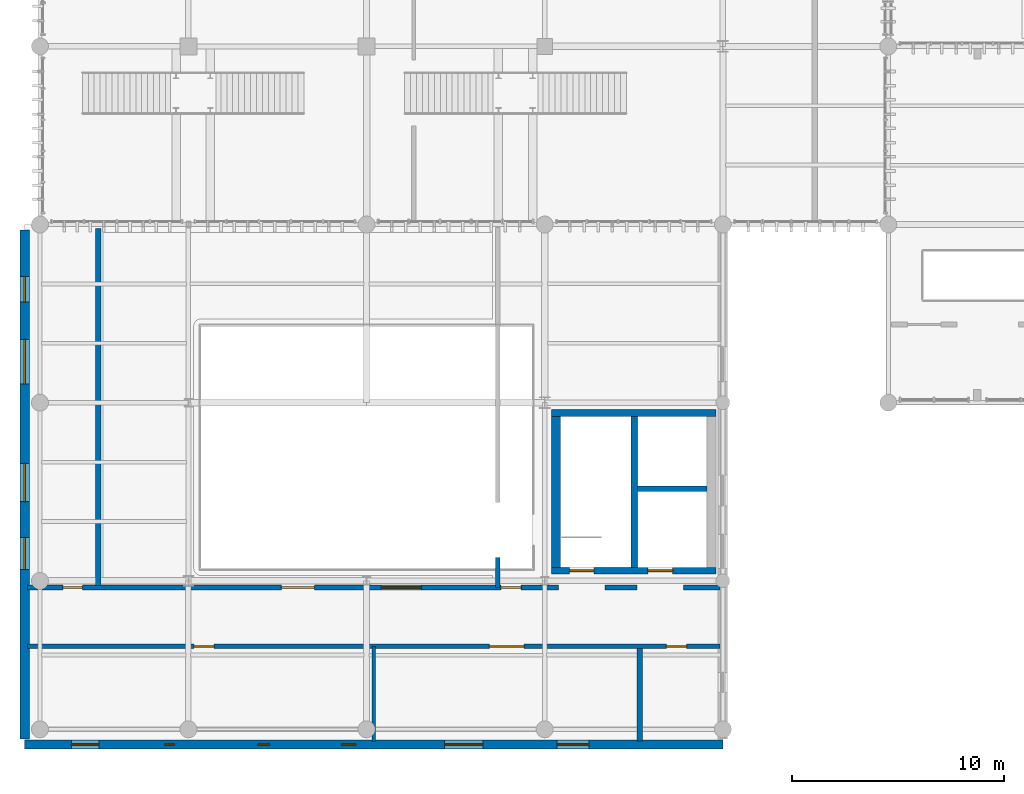
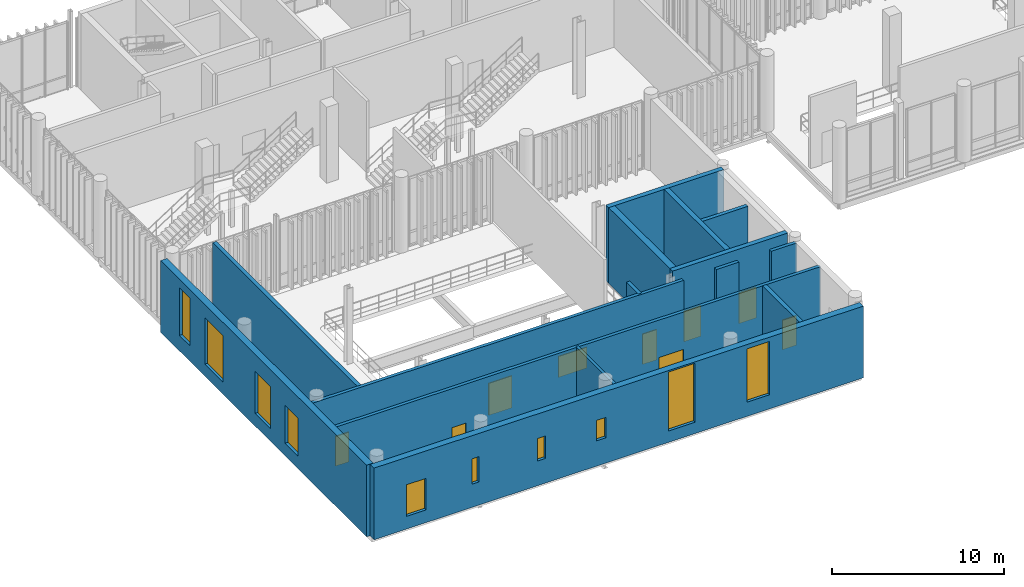
# One storey, part 104 of 128: 15 walls, 11 windows, 8 doors, 19 openings.
"""IFC4 building model written with IfcOpenShell, lengths in metres."""

from ifc_helpers import new_model, si_unit, direction, frame, frame_2d, origin_with_axes, place, context, subcontext, project, spatial, rectangle, extrude, material, layer, layer_set, type_object, element, fill, save


model = new_model("IFC4")

# Units and contexts
model_context = context("Model", 3, precision=1e-05, world=origin_with_axes(), true_north=direction((0.0, 1.0)))
body_context = subcontext(model_context, "Body", "Model", "MODEL_VIEW")
ifc_project = project(units=[si_unit("LENGTHUNIT", "METRE"), si_unit("AREAUNIT", "SQUARE_METRE"), si_unit("VOLUMEUNIT", "CUBIC_METRE"), si_unit("PLANEANGLEUNIT", "RADIAN"), si_unit("MASSUNIT", "GRAM", prefix="KILO"), si_unit("THERMODYNAMICTEMPERATUREUNIT", "KELVIN")], contexts=[model_context])

# Site, building, storey
site_placement = place(None, origin_with_axes())
site = spatial("IfcSite", under=ifc_project, at=site_placement, CompositionType="ELEMENT")
building_placement = place(site_placement, origin_with_axes())
building = spatial("IfcBuilding", under=site, at=building_placement, Name="Montbau Bow Law Courts", CompositionType="ELEMENT")
storey_placement = place(building_placement, frame((0.0, 0.0, 5.4), z_axis=(0.0, 0.0, 1.0), x_axis=(1.0, 0.0, 0.0)))
storey = spatial("IfcBuildingStorey", under=building, at=storey_placement, Name="L01", CompositionType="ELEMENT", Elevation=5.4)

# Wall
ifc_material_1 = material(Name="Concrete CSA A23.1 f'c 45 MPa", Category="concrete")
ifc_layer_1 = layer(ifc_material_1, 0.42, Name="Shear Wall", Category="concrete")
ifc_layer_set_1 = layer_set([ifc_layer_1], Name="Concrete CSA A23.1 f'c 45 MPa")
wall_type_1 = type_object("IfcWallType", Name="W-COR-03", PredefinedType="SHEAR", material=ifc_layer_set_1)
wall_1_placement = place(None, frame((31.14, 21.56, 5.4), z_axis=(0.0, 0.0, 1.0), x_axis=(0.0, -1.0, 0.0)))
element("IfcWall", 1, at=wall_1_placement, inside=storey, type_object=wall_type_1, Name="WC-L01-0540:wal_0607", PredefinedType="SHEAR", context=body_context, shape_type="SweptSolid", body=[
    extrude(rectangle(XDim=7.119999999999999, YDim=0.42, at=frame_2d((3.56, 0.0), x_axis=(1.0, 0.0))), origin_with_axes(), (0.0, 0.0, 1.0), 5.4),
])

# Wall, openings, doors
ifc_layer_2 = layer(ifc_material_1, 0.32, Name="Shear Wall", Category="concrete")
ifc_layer_set_2 = layer_set([ifc_layer_2], Name="Concrete CSA A23.1 f'c 45 MPa")
wall_type_2 = type_object("IfcWallType", Name="W-COR-05", PredefinedType="SHEAR", material=ifc_layer_set_2)
wall_2_placement = place(None, frame((30.93, 14.28, 5.4), z_axis=(0.0, 0.0, 1.0), x_axis=(1.0, 0.0, 0.0)))
wall_2 = element("IfcWall", 2, at=wall_2_placement, inside=storey, type_object=wall_type_2, Name="WC-L01-0537:wal_0604", PredefinedType="SHEAR", context=body_context, shape_type="SweptSolid", body=[
    extrude(rectangle(XDim=7.740000000000002, YDim=0.32, at=frame_2d((3.87, 0.0), x_axis=(1.0, 0.0))), origin_with_axes(), (0.0, 0.0, 1.0), 5.4),
])
opening_1_placement = place(None, frame((32.35, 14.28, 5.4), z_axis=(0.0, 0.0, 1.0), x_axis=(1.0, 0.0, 0.0)))
opening_1 = element("IfcOpeningElement", 3, at=opening_1_placement, cuts=wall_2, Name="OP-D-L01-ST-CER1", PredefinedType="OPENING", context=body_context, shape_type="SweptSolid", body=[
    extrude(rectangle(XDim=1.14, YDim=2.18, at=frame_2d((0.0, 1.09), x_axis=(1.0, 0.0))), frame((0.0, 0.17, 0.0), z_axis=(0.0, -1.0, 0.0), x_axis=(1.0, 0.0, 0.0)), (0.0, 0.0, 1.0), 0.34),
])
opening_2_placement = place(None, frame((36.05, 14.28, 5.4), z_axis=(0.0, 0.0, 1.0), x_axis=(1.0, 0.0, 0.0)))
opening_2 = element("IfcOpeningElement", 4, at=opening_2_placement, cuts=wall_2, Name="OP-LD-L01-EL-CER1", PredefinedType="OPENING", context=body_context, shape_type="SweptSolid", body=[
    extrude(rectangle(XDim=1.16, YDim=2.2, at=frame_2d((0.0, 1.1), x_axis=(1.0, 0.0))), frame((0.0, 0.17, 0.0), z_axis=(0.0, -1.0, 0.0), x_axis=(1.0, 0.0, 0.0)), (0.0, 0.0, 1.0), 0.34),
])
ifc_material_2 = material(Name="1.5 h Fire-Rated Hollow-Metal Exit Stair Door", Category="steel")
door_type_1 = type_object("IfcDoorType", Name="D-ST-01", OperationType="NOTDEFINED", ParameterTakesPrecedence=False, PredefinedType="DOOR", material=ifc_material_2)
door_1_placement = place(None, frame((32.35, 14.28, 5.4), z_axis=(0.0, 0.0, 1.0), x_axis=(-1.0, 0.0, 0.0)))
door_1 = element("IfcDoor", 5, at=door_1_placement, inside=storey, type_object=door_type_1, Name="D-L01-ST-CER1:dor_0238", OperationType="SINGLE_SWING_RIGHT", OverallHeight=2.18, OverallWidth=1.14, PredefinedType="DOOR", context=body_context, shape_type="SweptSolid", body=[
    extrude(rectangle(XDim=1.14, YDim=2.18, at=frame_2d((0.0, 1.09), x_axis=(1.0, 0.0))), frame((0.0, 0.04, 0.0), z_axis=(0.0, -1.0, 0.0), x_axis=(1.0, 0.0, 0.0)), (0.0, 0.0, 1.0), 0.08),
])
fill(opening_1, door_1)
ifc_material_3 = material(Name="Brushed Stainless Steel Elevator Landing Door", Category="steel")
door_type_2 = type_object("IfcDoorType", Name="LD-PUB-01", OperationType="NOTDEFINED", ParameterTakesPrecedence=False, PredefinedType="DOOR", material=ifc_material_3)
door_2_placement = place(None, frame((36.05, 14.28, 5.4), z_axis=(0.0, 0.0, 1.0), x_axis=(-1.0, 0.0, 0.0)))
door_2 = element("IfcDoor", 6, at=door_2_placement, inside=storey, type_object=door_type_2, Name="LD-L01-EL-CER1:dor_0239", OperationType="SLIDING_TO_LEFT", OverallHeight=2.2, OverallWidth=1.16, PredefinedType="DOOR", context=body_context, shape_type="SweptSolid", body=[
    extrude(rectangle(XDim=1.16, YDim=2.2, at=frame_2d((0.0, 1.1), x_axis=(1.0, 0.0))), frame((0.0, 0.04, 0.0), z_axis=(0.0, -1.0, 0.0), x_axis=(1.0, 0.0, 0.0)), (0.0, 0.0, 1.0), 0.08),
])
fill(opening_2, door_2)

# Walls
wall_3_placement = place(None, frame((38.67, 21.72, 5.4), z_axis=(0.0, 0.0, 1.0), x_axis=(-1.0, 0.0, 0.0)))
element("IfcWall", 7, at=wall_3_placement, inside=storey, type_object=wall_type_2, Name="WC-L01-0538:wal_0605", PredefinedType="SHEAR", context=body_context, shape_type="SweptSolid", body=[
    extrude(rectangle(XDim=7.740000000000002, YDim=0.32, at=frame_2d((3.87, 0.0), x_axis=(1.0, 0.0))), origin_with_axes(), (0.0, 0.0, 1.0), 5.4),
])
wall_4_placement = place(None, frame((34.82, 14.44, 5.4), z_axis=(0.0, 0.0, 1.0), x_axis=(0.0, 1.0, 0.0)))
element("IfcWall", 8, at=wall_4_placement, inside=storey, type_object=wall_type_2, Name="WS-L01-0541:wal_0608", PredefinedType="SHEAR", context=body_context, shape_type="SweptSolid", body=[
    extrude(rectangle(XDim=7.119999999999999, YDim=0.32, at=frame_2d((3.56, 0.0), x_axis=(1.0, 0.0))), origin_with_axes(), (0.0, 0.0, 1.0), 5.4),
])

# Wall, openings, windows
ifc_material_4 = material(Name="Tyndall Limestone Ashlar Spandrel Assembly", Category="masonry")
ifc_layer_3 = layer(ifc_material_4, 0.44, Name="Solid Wall", Category="masonry")
ifc_layer_set_3 = layer_set([ifc_layer_3], Name="Tyndall Limestone Ashlar Spandrel Assembly")
wall_type_3 = type_object("IfcWallType", Name="W-EXT-03", PredefinedType="SOLIDWALL", material=ifc_layer_set_3)
wall_5_placement = place(None, frame((6.08, 6.08, 5.4), z_axis=(0.0, 0.0, 1.0), x_axis=(1.0, 0.0, 0.0)))
wall_5 = element("IfcWall", 9, at=wall_5_placement, inside=storey, type_object=wall_type_3, Name="WE-L01-004:wal_0021", PredefinedType="SOLIDWALL", context=body_context, shape_type="SweptSolid", body=[
    extrude(rectangle(XDim=32.92, YDim=0.44, at=frame_2d((16.46, 0.0), x_axis=(1.0, 0.0))), origin_with_axes(), (0.0, 0.0, 1.0), 5.1),
])
opening_3_placement = place(None, frame((8.93, 6.08, 6.3), z_axis=(0.0, 0.0, 1.0), x_axis=(1.0, 0.0, 0.0)))
opening_3 = element("IfcOpeningElement", 10, at=opening_3_placement, cuts=wall_5, Name="OP-WN-L01-018", PredefinedType="OPENING", context=body_context, shape_type="SweptSolid", body=[
    extrude(rectangle(XDim=1.3, YDim=2.25, at=frame_2d((0.0, 1.125), x_axis=(1.0, 0.0))), frame((0.0, 0.23, 0.0), z_axis=(0.0, -1.0, 0.0), x_axis=(1.0, 0.0, 0.0)), (0.0, 0.0, 1.0), 0.46),
])
opening_4_placement = place(None, frame((12.905, 6.08, 7.05), z_axis=(0.0, 0.0, 1.0), x_axis=(1.0, 0.0, 0.0)))
opening_4 = element("IfcOpeningElement", 11, at=opening_4_placement, cuts=wall_5, Name="OP-WN-L01-019", PredefinedType="OPENING", context=body_context, shape_type="SweptSolid", body=[
    extrude(rectangle(XDim=0.45, YDim=1.8, at=frame_2d((0.0, 0.9), x_axis=(1.0, 0.0))), frame((0.0, 0.23, 0.0), z_axis=(0.0, -1.0, 0.0), x_axis=(1.0, 0.0, 0.0)), (0.0, 0.0, 1.0), 0.46),
])
opening_5_placement = place(None, frame((17.355, 6.08, 7.15), z_axis=(0.0, 0.0, 1.0), x_axis=(1.0, 0.0, 0.0)))
opening_5 = element("IfcOpeningElement", 12, at=opening_5_placement, cuts=wall_5, Name="OP-WN-L01-020", PredefinedType="OPENING", context=body_context, shape_type="SweptSolid", body=[
    extrude(rectangle(XDim=0.55, YDim=1.6, at=frame_2d((0.0, 0.8), x_axis=(1.0, 0.0))), frame((0.0, 0.23, 0.0), z_axis=(0.0, -1.0, 0.0), x_axis=(1.0, 0.0, 0.0)), (0.0, 0.0, 1.0), 0.46),
])
opening_6_placement = place(None, frame((21.355, 6.08, 7.2), z_axis=(0.0, 0.0, 1.0), x_axis=(1.0, 0.0, 0.0)))
opening_6 = element("IfcOpeningElement", 13, at=opening_6_placement, cuts=wall_5, Name="OP-WN-L01-021", PredefinedType="OPENING", context=body_context, shape_type="SweptSolid", body=[
    extrude(rectangle(XDim=0.65, YDim=1.45, at=frame_2d((0.0, 0.725), x_axis=(1.0, 0.0))), frame((0.0, 0.23, 0.0), z_axis=(0.0, -1.0, 0.0), x_axis=(1.0, 0.0, 0.0)), (0.0, 0.0, 1.0), 0.46),
])
opening_7_placement = place(None, frame((26.78, 6.08, 6.2), z_axis=(0.0, 0.0, 1.0), x_axis=(1.0, 0.0, 0.0)))
opening_7 = element("IfcOpeningElement", 14, at=opening_7_placement, cuts=wall_5, Name="OP-WN-L01-022", PredefinedType="OPENING", context=body_context, shape_type="SweptSolid", body=[
    extrude(rectangle(XDim=1.8, YDim=4.2, at=frame_2d((0.0, 2.1), x_axis=(1.0, 0.0))), frame((0.0, 0.23, 0.0), z_axis=(0.0, -1.0, 0.0), x_axis=(1.0, 0.0, 0.0)), (0.0, 0.0, 1.0), 0.46),
])
opening_8_placement = place(None, frame((31.93, 6.08, 6.4), z_axis=(0.0, 0.0, 1.0), x_axis=(1.0, 0.0, 0.0)))
opening_8 = element("IfcOpeningElement", 15, at=opening_8_placement, cuts=wall_5, Name="OP-WN-L01-023", PredefinedType="OPENING", context=body_context, shape_type="SweptSolid", body=[
    extrude(rectangle(XDim=1.5, YDim=3.8, at=frame_2d((0.0, 1.9), x_axis=(1.0, 0.0))), frame((0.0, 0.23, 0.0), z_axis=(0.0, -1.0, 0.0), x_axis=(1.0, 0.0, 0.0)), (0.0, 0.0, 1.0), 0.46),
])
ifc_material_5 = material(Name="Triple-Glazed Low-E Argon Insulating Glass Unit", Category="glass")
window_type_1 = type_object("IfcWindowType", Name="WN-APP-02", ParameterTakesPrecedence=False, PartitioningType="SINGLE_PANEL", PredefinedType="WINDOW", material=ifc_material_5)
window_1_placement = place(None, frame((8.93, 6.08, 6.3), z_axis=(0.0, 0.0, 1.0), x_axis=(1.0, 0.0, 0.0)))
window_1 = element("IfcWindow", 16, at=window_1_placement, inside=storey, type_object=window_type_1, Name="WN-L01-018:win_0018", OverallHeight=2.25, OverallWidth=1.3, PartitioningType="SINGLE_PANEL", PredefinedType="WINDOW", context=body_context, shape_type="SweptSolid", body=[
    extrude(rectangle(XDim=1.3, YDim=2.25, at=frame_2d((0.0, 1.125), x_axis=(1.0, 0.0))), frame((0.0, 0.03, 0.0), z_axis=(0.0, -1.0, 0.0), x_axis=(1.0, 0.0, 0.0)), (0.0, 0.0, 1.0), 0.06),
])
fill(opening_3, window_1)
window_type_2 = type_object("IfcWindowType", Name="WN-CER-01", ParameterTakesPrecedence=False, PartitioningType="SINGLE_PANEL", PredefinedType="WINDOW", material=ifc_material_5)
window_2_placement = place(None, frame((26.78, 6.08, 6.2), z_axis=(0.0, 0.0, 1.0), x_axis=(1.0, 0.0, 0.0)))
window_2 = element("IfcWindow", 17, at=window_2_placement, inside=storey, type_object=window_type_2, Name="WN-L01-022:win_0022", OverallHeight=4.2, OverallWidth=1.8, PartitioningType="SINGLE_PANEL", PredefinedType="WINDOW", context=body_context, shape_type="SweptSolid", body=[
    extrude(rectangle(XDim=1.8, YDim=4.2, at=frame_2d((0.0, 2.1), x_axis=(1.0, 0.0))), frame((0.0, 0.03, 0.0), z_axis=(0.0, -1.0, 0.0), x_axis=(1.0, 0.0, 0.0)), (0.0, 0.0, 1.0), 0.06),
])
fill(opening_7, window_2)
window_type_3 = type_object("IfcWindowType", Name="WN-CER-02", ParameterTakesPrecedence=False, PartitioningType="SINGLE_PANEL", PredefinedType="WINDOW", material=ifc_material_5)
window_3_placement = place(None, frame((31.93, 6.08, 6.4), z_axis=(0.0, 0.0, 1.0), x_axis=(1.0, 0.0, 0.0)))
window_3 = element("IfcWindow", 18, at=window_3_placement, inside=storey, type_object=window_type_3, Name="WN-L01-023:win_0023", OverallHeight=3.8, OverallWidth=1.5, PartitioningType="SINGLE_PANEL", PredefinedType="WINDOW", context=body_context, shape_type="SweptSolid", body=[
    extrude(rectangle(XDim=1.5, YDim=3.8, at=frame_2d((0.0, 1.9), x_axis=(1.0, 0.0))), frame((0.0, 0.03, 0.0), z_axis=(0.0, -1.0, 0.0), x_axis=(1.0, 0.0, 0.0)), (0.0, 0.0, 1.0), 0.06),
])
fill(opening_8, window_3)
ifc_material_6 = material(Name="Laminated Ballistic-Resistant Triple Security Glazing", Category="glass")
window_type_4 = type_object("IfcWindowType", Name="WN-CUS-01", ParameterTakesPrecedence=False, PartitioningType="SINGLE_PANEL", PredefinedType="WINDOW", material=ifc_material_6)
window_4_placement = place(None, frame((12.905, 6.08, 7.05), z_axis=(0.0, 0.0, 1.0), x_axis=(1.0, 0.0, 0.0)))
window_4 = element("IfcWindow", 19, at=window_4_placement, inside=storey, type_object=window_type_4, Name="WN-L01-019:win_0019", OverallHeight=1.8, OverallWidth=0.45, PartitioningType="SINGLE_PANEL", PredefinedType="WINDOW", context=body_context, shape_type="SweptSolid", body=[
    extrude(rectangle(XDim=0.45, YDim=1.8, at=frame_2d((0.0, 0.9), x_axis=(1.0, 0.0))), frame((0.0, 0.03, 0.0), z_axis=(0.0, -1.0, 0.0), x_axis=(1.0, 0.0, 0.0)), (0.0, 0.0, 1.0), 0.06),
])
fill(opening_4, window_4)
window_type_5 = type_object("IfcWindowType", Name="WN-CUS-02", ParameterTakesPrecedence=False, PartitioningType="SINGLE_PANEL", PredefinedType="WINDOW", material=ifc_material_6)
window_5_placement = place(None, frame((17.355, 6.08, 7.15), z_axis=(0.0, 0.0, 1.0), x_axis=(1.0, 0.0, 0.0)))
window_5 = element("IfcWindow", 20, at=window_5_placement, inside=storey, type_object=window_type_5, Name="WN-L01-020:win_0020", OverallHeight=1.6, OverallWidth=0.55, PartitioningType="SINGLE_PANEL", PredefinedType="WINDOW", context=body_context, shape_type="SweptSolid", body=[
    extrude(rectangle(XDim=0.55, YDim=1.6, at=frame_2d((0.0, 0.8), x_axis=(1.0, 0.0))), frame((0.0, 0.03, 0.0), z_axis=(0.0, -1.0, 0.0), x_axis=(1.0, 0.0, 0.0)), (0.0, 0.0, 1.0), 0.06),
])
fill(opening_5, window_5)
window_type_6 = type_object("IfcWindowType", Name="WN-CUS-03", ParameterTakesPrecedence=False, PartitioningType="SINGLE_PANEL", PredefinedType="WINDOW", material=ifc_material_6)
window_6_placement = place(None, frame((21.355, 6.08, 7.2), z_axis=(0.0, 0.0, 1.0), x_axis=(1.0, 0.0, 0.0)))
window_6 = element("IfcWindow", 21, at=window_6_placement, inside=storey, type_object=window_type_6, Name="WN-L01-021:win_0021", OverallHeight=1.45, OverallWidth=0.65, PartitioningType="SINGLE_PANEL", PredefinedType="WINDOW", context=body_context, shape_type="SweptSolid", body=[
    extrude(rectangle(XDim=0.65, YDim=1.45, at=frame_2d((0.0, 0.725), x_axis=(1.0, 0.0))), frame((0.0, 0.03, 0.0), z_axis=(0.0, -1.0, 0.0), x_axis=(1.0, 0.0, 0.0)), (0.0, 0.0, 1.0), 0.06),
])
fill(opening_6, window_6)

wall_6_placement = place(None, frame((6.08, 30.34, 5.4), z_axis=(0.0, 0.0, 1.0), x_axis=(0.0, -1.0, 0.0)))
wall_6 = element("IfcWall", 22, at=wall_6_placement, inside=storey, type_object=wall_type_3, Name="WE-L01-006:wal_0023", PredefinedType="SOLIDWALL", context=body_context, shape_type="SweptSolid", body=[
    extrude(rectangle(XDim=24.0, YDim=0.44, at=frame_2d((12.0, 0.0), x_axis=(1.0, 0.0))), origin_with_axes(), (0.0, 0.0, 1.0), 5.1),
])
opening_9_placement = place(None, frame((6.08, 27.54, 6.5), z_axis=(0.0, 0.0, 1.0), x_axis=(0.0, -1.0, 0.0)))
opening_9 = element("IfcOpeningElement", 23, at=opening_9_placement, cuts=wall_6, Name="OP-WN-L01-024", PredefinedType="OPENING", context=body_context, shape_type="SweptSolid", body=[
    extrude(rectangle(XDim=1.2, YDim=3.4, at=frame_2d((0.0, 1.7), x_axis=(1.0, 0.0))), frame((0.0, 0.23, 0.0), z_axis=(0.0, -1.0, 0.0), x_axis=(1.0, 0.0, 0.0)), (0.0, 0.0, 1.0), 0.46),
])
opening_10_placement = place(None, frame((6.08, 24.14, 6.25), z_axis=(0.0, 0.0, 1.0), x_axis=(0.0, -1.0, 0.0)))
opening_10 = element("IfcOpeningElement", 24, at=opening_10_placement, cuts=wall_6, Name="OP-WN-L01-025", PredefinedType="OPENING", context=body_context, shape_type="SweptSolid", body=[
    extrude(rectangle(XDim=2.1, YDim=3.3, at=frame_2d((0.0, 1.65), x_axis=(1.0, 0.0))), frame((0.0, 0.23, 0.0), z_axis=(0.0, -1.0, 0.0), x_axis=(1.0, 0.0, 0.0)), (0.0, 0.0, 1.0), 0.46),
])
opening_11_placement = place(None, frame((6.08, 18.44, 6.3), z_axis=(0.0, 0.0, 1.0), x_axis=(0.0, -1.0, 0.0)))
opening_11 = element("IfcOpeningElement", 25, at=opening_11_placement, cuts=wall_6, Name="OP-WN-L01-026", PredefinedType="OPENING", context=body_context, shape_type="SweptSolid", body=[
    extrude(rectangle(XDim=1.8, YDim=3.0, at=frame_2d((0.0, 1.5), x_axis=(1.0, 0.0))), frame((0.0, 0.23, 0.0), z_axis=(0.0, -1.0, 0.0), x_axis=(1.0, 0.0, 0.0)), (0.0, 0.0, 1.0), 0.46),
])
opening_12_placement = place(None, frame((6.08, 15.09, 6.3), z_axis=(0.0, 0.0, 1.0), x_axis=(0.0, -1.0, 0.0)))
opening_12 = element("IfcOpeningElement", 26, at=opening_12_placement, cuts=wall_6, Name="OP-WN-L01-027", PredefinedType="OPENING", context=body_context, shape_type="SweptSolid", body=[
    extrude(rectangle(XDim=1.5, YDim=2.7, at=frame_2d((0.0, 1.35), x_axis=(1.0, 0.0))), frame((0.0, 0.23, 0.0), z_axis=(0.0, -1.0, 0.0), x_axis=(1.0, 0.0, 0.0)), (0.0, 0.0, 1.0), 0.46),
])
window_type_7 = type_object("IfcWindowType", Name="WN-CER-03", ParameterTakesPrecedence=False, PartitioningType="SINGLE_PANEL", PredefinedType="WINDOW", material=ifc_material_5)
window_7_placement = place(None, frame((6.08, 27.54, 6.5), z_axis=(0.0, 0.0, 1.0), x_axis=(0.0, -1.0, 0.0)))
window_7 = element("IfcWindow", 27, at=window_7_placement, inside=storey, type_object=window_type_7, Name="WN-L01-024:win_0024", OverallHeight=3.4, OverallWidth=1.2, PartitioningType="SINGLE_PANEL", PredefinedType="WINDOW", context=body_context, shape_type="SweptSolid", body=[
    extrude(rectangle(XDim=1.2, YDim=3.4, at=frame_2d((0.0, 1.7), x_axis=(1.0, 0.0))), frame((0.0, 0.03, 0.0), z_axis=(0.0, -1.0, 0.0), x_axis=(1.0, 0.0, 0.0)), (0.0, 0.0, 1.0), 0.06),
])
fill(opening_9, window_7)
window_type_8 = type_object("IfcWindowType", Name="WN-PLN-01", ParameterTakesPrecedence=False, PartitioningType="SINGLE_PANEL", PredefinedType="WINDOW", material=ifc_material_5)
window_8_placement = place(None, frame((6.08, 24.14, 6.25), z_axis=(0.0, 0.0, 1.0), x_axis=(0.0, -1.0, 0.0)))
window_8 = element("IfcWindow", 28, at=window_8_placement, inside=storey, type_object=window_type_8, Name="WN-L01-025:win_0025", OverallHeight=3.3, OverallWidth=2.1, PartitioningType="SINGLE_PANEL", PredefinedType="WINDOW", context=body_context, shape_type="SweptSolid", body=[
    extrude(rectangle(XDim=2.1, YDim=3.3, at=frame_2d((0.0, 1.65), x_axis=(1.0, 0.0))), frame((0.0, 0.03, 0.0), z_axis=(0.0, -1.0, 0.0), x_axis=(1.0, 0.0, 0.0)), (0.0, 0.0, 1.0), 0.06),
])
fill(opening_10, window_8)
window_type_9 = type_object("IfcWindowType", Name="WN-PLN-02", ParameterTakesPrecedence=False, PartitioningType="SINGLE_PANEL", PredefinedType="WINDOW", material=ifc_material_5)
window_9_placement = place(None, frame((6.08, 18.44, 6.3), z_axis=(0.0, 0.0, 1.0), x_axis=(0.0, -1.0, 0.0)))
window_9 = element("IfcWindow", 29, at=window_9_placement, inside=storey, type_object=window_type_9, Name="WN-L01-026:win_0026", OverallHeight=3.0, OverallWidth=1.8, PartitioningType="SINGLE_PANEL", PredefinedType="WINDOW", context=body_context, shape_type="SweptSolid", body=[
    extrude(rectangle(XDim=1.8, YDim=3.0, at=frame_2d((0.0, 1.5), x_axis=(1.0, 0.0))), frame((0.0, 0.03, 0.0), z_axis=(0.0, -1.0, 0.0), x_axis=(1.0, 0.0, 0.0)), (0.0, 0.0, 1.0), 0.06),
])
fill(opening_11, window_9)
window_type_10 = type_object("IfcWindowType", Name="WN-PLN-03", ParameterTakesPrecedence=False, PartitioningType="SINGLE_PANEL", PredefinedType="WINDOW", material=ifc_material_5)
window_10_placement = place(None, frame((6.08, 15.09, 6.3), z_axis=(0.0, 0.0, 1.0), x_axis=(0.0, -1.0, 0.0)))
window_10 = element("IfcWindow", 30, at=window_10_placement, inside=storey, type_object=window_type_10, Name="WN-L01-027:win_0027", OverallHeight=2.7, OverallWidth=1.5, PartitioningType="SINGLE_PANEL", PredefinedType="WINDOW", context=body_context, shape_type="SweptSolid", body=[
    extrude(rectangle(XDim=1.5, YDim=2.7, at=frame_2d((0.0, 1.35), x_axis=(1.0, 0.0))), frame((0.0, 0.03, 0.0), z_axis=(0.0, -1.0, 0.0), x_axis=(1.0, 0.0, 0.0)), (0.0, 0.0, 1.0), 0.06),
])
fill(opening_12, window_10)

# Walls
ifc_material_7 = material(Name="Double-Stud Acoustic Plumbing Chase Gypsum Assembly", Category="gypsum")
ifc_layer_4 = layer(ifc_material_7, 0.26, Name="Plumbing Wall", Category="gypsum")
ifc_layer_set_4 = layer_set([ifc_layer_4], Name="Double-Stud Acoustic Plumbing Chase Gypsum Assembly")
wall_type_4 = type_object("IfcWallType", Name="W-PLM-01", PredefinedType="PLUMBINGWALL", material=ifc_layer_set_4)
wall_7_placement = place(None, frame((9.54, 13.59, 5.4), z_axis=(0.0, 0.0, 1.0), x_axis=(0.0, 1.0, 0.0)))
element("IfcWall", 31, at=wall_7_placement, inside=storey, type_object=wall_type_4, Name="WD-L01-0674:wal_0741", PredefinedType="PLUMBINGWALL", context=body_context, shape_type="SweptSolid", body=[
    extrude(rectangle(XDim=16.830000000000002, YDim=0.26, at=frame_2d((8.415, 0.0), x_axis=(1.0, 0.0))), origin_with_axes(), (0.0, 0.0, 1.0), 5.08),
])
wall_8_placement = place(None, frame((35.09, 6.26, 5.4), z_axis=(0.0, 0.0, 1.0), x_axis=(0.0, 1.0, 0.0)))
element("IfcWall", 32, at=wall_8_placement, inside=storey, type_object=wall_type_4, Name="WD-L01-0675:wal_0742", PredefinedType="PLUMBINGWALL", context=body_context, shape_type="SweptSolid", body=[
    extrude(rectangle(XDim=4.35, YDim=0.26, at=frame_2d((2.175, 0.0), x_axis=(1.0, 0.0))), origin_with_axes(), (0.0, 0.0, 1.0), 5.08),
])
ifc_material_8 = material(Name="2 h Shaft and Exit-Passage Fire Separation Partition", Category="gypsum")
ifc_layer_5 = layer(ifc_material_8, 0.25, Name="Partition", Category="gypsum")
ifc_layer_set_5 = layer_set([ifc_layer_5], Name="2 h Shaft and Exit-Passage Fire Separation Partition")
wall_type_5 = type_object("IfcWallType", Name="W-PRT-01", PredefinedType="PARTITIONING", material=ifc_layer_set_5)
wall_9_placement = place(None, frame((34.98, 18.149, 5.4), z_axis=(0.0, 0.0, 1.0), x_axis=(1.0, 0.0, 0.0)))
element("IfcWall", 33, at=wall_9_placement, inside=storey, type_object=wall_type_5, Name="WS-L01-0542:wal_0609", PredefinedType="PARTITIONING", context=body_context, shape_type="SweptSolid", body=[
    extrude(rectangle(XDim=3.270000000000003, YDim=0.25, at=frame_2d((1.635, 0.0), x_axis=(1.0, 0.0))), origin_with_axes(), (0.0, 0.0, 1.0), 5.08),
])

# Wall, openings, doors, window
ifc_material_9 = material(Name="STC-60 High-Acoustic Courtroom Perimeter Partition", Category="gypsum")
ifc_layer_6 = layer(ifc_material_9, 0.22, Name="Partition", Category="gypsum")
ifc_layer_set_6 = layer_set([ifc_layer_6], Name="STC-60 High-Acoustic Courtroom Perimeter Partition")
wall_type_6 = type_object("IfcWallType", Name="W-PRT-02", PredefinedType="PARTITIONING", material=ifc_layer_set_6)
wall_10_placement = place(None, frame((6.22, 13.49, 5.4), z_axis=(0.0, 0.0, 1.0), x_axis=(1.0, 0.0, 0.0)))
wall_10 = element("IfcWall", 34, at=wall_10_placement, inside=storey, type_object=wall_type_6, Name="WP-L01-0670:wal_0737", PredefinedType="PARTITIONING", context=body_context, shape_type="SweptSolid", body=[
    extrude(rectangle(XDim=25.037000000000003, YDim=0.22, at=frame_2d((12.5185, 0.0), x_axis=(1.0, 0.0))), origin_with_axes(), (0.0, 0.0, 1.0), 5.08),
])
opening_13_placement = place(None, frame((8.342, 13.49, 5.4), z_axis=(0.0, 0.0, 1.0), x_axis=(1.0, 0.0, 0.0)))
opening_13 = element("IfcOpeningElement", 35, at=opening_13_placement, cuts=wall_10, Name="OP-D-L01-266", PredefinedType="OPENING", context=body_context, shape_type="SweptSolid", body=[
    extrude(rectangle(XDim=0.91, YDim=2.12, at=frame_2d((0.0, 1.06), x_axis=(1.0, 0.0))), frame((0.0, 0.12, 0.0), z_axis=(0.0, -1.0, 0.0), x_axis=(1.0, 0.0, 0.0)), (0.0, 0.0, 1.0), 0.24),
])
opening_14_placement = place(None, frame((18.963, 13.49, 5.4), z_axis=(0.0, 0.0, 1.0), x_axis=(1.0, 0.0, 0.0)))
opening_14 = element("IfcOpeningElement", 36, at=opening_14_placement, cuts=wall_10, Name="OP-D-L01-267", PredefinedType="OPENING", context=body_context, shape_type="SweptSolid", body=[
    extrude(rectangle(XDim=1.56, YDim=2.28, at=frame_2d((0.0, 1.14), x_axis=(1.0, 0.0))), frame((0.0, 0.12, 0.0), z_axis=(0.0, -1.0, 0.0), x_axis=(1.0, 0.0, 0.0)), (0.0, 0.0, 1.0), 0.24),
])
opening_15_placement = place(None, frame((29.01, 13.49, 5.4), z_axis=(0.0, 0.0, 1.0), x_axis=(1.0, 0.0, 0.0)))
opening_15 = element("IfcOpeningElement", 37, at=opening_15_placement, cuts=wall_10, Name="OP-D-L01-268", PredefinedType="OPENING", context=body_context, shape_type="SweptSolid", body=[
    extrude(rectangle(XDim=0.95, YDim=2.16, at=frame_2d((0.0, 1.08), x_axis=(1.0, 0.0))), frame((0.0, 0.12, 0.0), z_axis=(0.0, -1.0, 0.0), x_axis=(1.0, 0.0, 0.0)), (0.0, 0.0, 1.0), 0.24),
])
opening_16_placement = place(None, frame((23.833, 13.49, 6.45), z_axis=(0.0, 0.0, 1.0), x_axis=(1.0, 0.0, 0.0)))
opening_16 = element("IfcOpeningElement", 38, at=opening_16_placement, cuts=wall_10, Name="OP-WI-L01-09", PredefinedType="OPENING", context=body_context, shape_type="SweptSolid", body=[
    extrude(rectangle(XDim=1.9, YDim=1.5, at=frame_2d((0.0, 0.75), x_axis=(1.0, 0.0))), frame((0.0, 0.12, 0.0), z_axis=(0.0, -1.0, 0.0), x_axis=(1.0, 0.0, 0.0)), (0.0, 0.0, 1.0), 0.24),
])
ifc_material_10 = material(Name="Mediation and Witness Waiting Acoustic Oak Door", Category="wood")
door_type_3 = type_object("IfcDoorType", Name="D-MED-01", OperationType="NOTDEFINED", ParameterTakesPrecedence=False, PredefinedType="DOOR", material=ifc_material_10)
door_3_placement = place(None, frame((29.01, 13.49, 5.4), z_axis=(0.0, 0.0, 1.0), x_axis=(-1.0, 0.0, 0.0)))
door_3 = element("IfcDoor", 39, at=door_3_placement, inside=storey, type_object=door_type_3, Name="D-L01-268:dor_0303", OperationType="SINGLE_SWING_LEFT", OverallHeight=2.16, OverallWidth=0.95, PredefinedType="DOOR", context=body_context, shape_type="SweptSolid", body=[
    extrude(rectangle(XDim=0.95, YDim=2.16, at=frame_2d((0.0, 1.08), x_axis=(1.0, 0.0))), frame((0.0, 0.04, 0.0), z_axis=(0.0, -1.0, 0.0), x_axis=(1.0, 0.0, 0.0)), (0.0, 0.0, 1.0), 0.08),
])
fill(opening_15, door_3)
ifc_material_11 = material(Name="Case Registry Counter Suite Double Door", Category="wood")
door_type_4 = type_object("IfcDoorType", Name="D-REG-01", OperationType="NOTDEFINED", ParameterTakesPrecedence=False, PredefinedType="DOOR", material=ifc_material_11)
door_4_placement = place(None, frame((18.963, 13.49, 5.4), z_axis=(0.0, 0.0, 1.0), x_axis=(-1.0, 0.0, 0.0)))
door_4 = element("IfcDoor", 40, at=door_4_placement, inside=storey, type_object=door_type_4, Name="D-L01-267:dor_0302", OperationType="DOUBLE_DOOR_SINGLE_SWING", OverallHeight=2.28, OverallWidth=1.56, PredefinedType="DOOR", context=body_context, shape_type="SweptSolid", body=[
    extrude(rectangle(XDim=1.56, YDim=2.28, at=frame_2d((0.0, 1.14), x_axis=(1.0, 0.0))), frame((0.0, 0.04, 0.0), z_axis=(0.0, -1.0, 0.0), x_axis=(1.0, 0.0, 0.0)), (0.0, 0.0, 1.0), 0.08),
])
fill(opening_14, door_4)
ifc_material_12 = material(Name="Public and Judicial Washroom Solid-Core Door", Category="wood")
door_type_5 = type_object("IfcDoorType", Name="D-WC-02", OperationType="NOTDEFINED", ParameterTakesPrecedence=False, PredefinedType="DOOR", material=ifc_material_12)
door_5_placement = place(None, frame((8.342, 13.49, 5.4), z_axis=(0.0, 0.0, 1.0), x_axis=(-1.0, 0.0, 0.0)))
door_5 = element("IfcDoor", 41, at=door_5_placement, inside=storey, type_object=door_type_5, Name="D-L01-266:dor_0301", OperationType="SINGLE_SWING_RIGHT", OverallHeight=2.12, OverallWidth=0.91, PredefinedType="DOOR", context=body_context, shape_type="SweptSolid", body=[
    extrude(rectangle(XDim=0.91, YDim=2.12, at=frame_2d((0.0, 1.06), x_axis=(1.0, 0.0))), frame((0.0, 0.04, 0.0), z_axis=(0.0, -1.0, 0.0), x_axis=(1.0, 0.0, 0.0)), (0.0, 0.0, 1.0), 0.08),
])
fill(opening_13, door_5)
ifc_material_13 = material(Name="Fire-Rated Acoustic Borrowed-Light Interior Glazing", Category="glass")
window_type_11 = type_object("IfcWindowType", Name="WN-INT-01", ParameterTakesPrecedence=False, PartitioningType="SINGLE_PANEL", PredefinedType="WINDOW", material=ifc_material_13)
window_11_placement = place(None, frame((23.833, 13.49, 6.45), z_axis=(0.0, 0.0, 1.0), x_axis=(1.0, 0.0, 0.0)))
window_11 = element("IfcWindow", 42, at=window_11_placement, inside=storey, type_object=window_type_11, Name="WI-L01-09:win_0131", OverallHeight=1.5, OverallWidth=1.9, PartitioningType="SINGLE_PANEL", PredefinedType="WINDOW", context=body_context, shape_type="SweptSolid", body=[
    extrude(rectangle(XDim=1.9, YDim=1.5, at=frame_2d((0.0, 0.75), x_axis=(1.0, 0.0))), frame((0.0, 0.03, 0.0), z_axis=(0.0, -1.0, 0.0), x_axis=(1.0, 0.0, 0.0)), (0.0, 0.0, 1.0), 0.06),
])
fill(opening_16, window_11)

# Walls
wall_11_placement = place(None, frame((33.443, 13.49, 5.4), z_axis=(0.0, 0.0, 1.0), x_axis=(1.0, 0.0, 0.0)))
element("IfcWall", 43, at=wall_11_placement, inside=storey, type_object=wall_type_6, Name="WP-L01-0671:wal_0738", PredefinedType="PARTITIONING", context=body_context, shape_type="SweptSolid", body=[
    extrude(rectangle(XDim=1.514000000000003, YDim=0.22, at=frame_2d((0.757, 0.0), x_axis=(1.0, 0.0))), origin_with_axes(), (0.0, 0.0, 1.0), 5.08),
])
wall_12_placement = place(None, frame((37.143, 13.49, 5.4), z_axis=(0.0, 0.0, 1.0), x_axis=(1.0, 0.0, 0.0)))
element("IfcWall", 44, at=wall_12_placement, inside=storey, type_object=wall_type_6, Name="WP-L01-0672:wal_0739", PredefinedType="PARTITIONING", context=body_context, shape_type="SweptSolid", body=[
    extrude(rectangle(XDim=1.7169999999999987, YDim=0.22, at=frame_2d((0.8585, 0.0), x_axis=(1.0, 0.0))), origin_with_axes(), (0.0, 0.0, 1.0), 5.08),
])

# Wall, openings, doors
wall_13_placement = place(None, frame((6.22, 10.71, 5.4), z_axis=(0.0, 0.0, 1.0), x_axis=(1.0, 0.0, 0.0)))
wall_13 = element("IfcWall", 45, at=wall_13_placement, inside=storey, type_object=wall_type_6, Name="WP-L01-0673:wal_0740", PredefinedType="PARTITIONING", context=body_context, shape_type="SweptSolid", body=[
    extrude(rectangle(XDim=32.64, YDim=0.22, at=frame_2d((16.32, 0.0), x_axis=(1.0, 0.0))), origin_with_axes(), (0.0, 0.0, 1.0), 5.08),
])
opening_17_placement = place(None, frame((14.542, 10.71, 5.4), z_axis=(0.0, 0.0, 1.0), x_axis=(1.0, 0.0, 0.0)))
opening_17 = element("IfcOpeningElement", 46, at=opening_17_placement, cuts=wall_13, Name="OP-D-L01-269", PredefinedType="OPENING", context=body_context, shape_type="SweptSolid", body=[
    extrude(rectangle(XDim=0.94, YDim=2.3, at=frame_2d((0.0, 1.15), x_axis=(1.0, 0.0))), frame((0.0, 0.12, 0.0), z_axis=(0.0, -1.0, 0.0), x_axis=(1.0, 0.0, 0.0)), (0.0, 0.0, 1.0), 0.24),
])
opening_18_placement = place(None, frame((28.815, 10.71, 5.4), z_axis=(0.0, 0.0, 1.0), x_axis=(1.0, 0.0, 0.0)))
opening_18 = element("IfcOpeningElement", 47, at=opening_18_placement, cuts=wall_13, Name="OP-D-L01-270", PredefinedType="OPENING", context=body_context, shape_type="SweptSolid", body=[
    extrude(rectangle(XDim=1.64, YDim=2.42, at=frame_2d((0.0, 1.21), x_axis=(1.0, 0.0))), frame((0.0, 0.12, 0.0), z_axis=(0.0, -1.0, 0.0), x_axis=(1.0, 0.0, 0.0)), (0.0, 0.0, 1.0), 0.24),
])
opening_19_placement = place(None, frame((36.813, 10.71, 5.4), z_axis=(0.0, 0.0, 1.0), x_axis=(1.0, 0.0, 0.0)))
opening_19 = element("IfcOpeningElement", 48, at=opening_19_placement, cuts=wall_13, Name="OP-D-L01-271", PredefinedType="OPENING", context=body_context, shape_type="SweptSolid", body=[
    extrude(rectangle(XDim=0.95, YDim=2.1, at=frame_2d((0.0, 1.05), x_axis=(1.0, 0.0))), frame((0.0, 0.12, 0.0), z_axis=(0.0, -1.0, 0.0), x_axis=(1.0, 0.0, 0.0)), (0.0, 0.0, 1.0), 0.24),
])
ifc_material_14 = material(Name="Appellate Justice Suite Solid White-Oak Door", Category="wood")
door_type_6 = type_object("IfcDoorType", Name="D-CHM-02", OperationType="NOTDEFINED", ParameterTakesPrecedence=False, PredefinedType="DOOR", material=ifc_material_14)
door_6_placement = place(None, frame((14.542, 10.71, 5.4), z_axis=(0.0, 0.0, 1.0), x_axis=(1.0, 0.0, 0.0)))
door_6 = element("IfcDoor", 49, at=door_6_placement, inside=storey, type_object=door_type_6, Name="D-L01-269:dor_0304", OperationType="SINGLE_SWING_RIGHT", OverallHeight=2.3, OverallWidth=0.94, PredefinedType="DOOR", context=body_context, shape_type="SweptSolid", body=[
    extrude(rectangle(XDim=0.94, YDim=2.3, at=frame_2d((0.0, 1.15), x_axis=(1.0, 0.0))), frame((0.0, 0.04, 0.0), z_axis=(0.0, -1.0, 0.0), x_axis=(1.0, 0.0, 0.0)), (0.0, 0.0, 1.0), 0.08),
])
fill(opening_17, door_6)
ifc_material_15 = material(Name="Acoustic White-Oak Civil and Family Hearing Double Door", Category="wood")
door_type_7 = type_object("IfcDoorType", Name="D-CRT-04", OperationType="NOTDEFINED", ParameterTakesPrecedence=False, PredefinedType="DOOR", material=ifc_material_15)
door_7_placement = place(None, frame((28.815, 10.71, 5.4), z_axis=(0.0, 0.0, 1.0), x_axis=(1.0, 0.0, 0.0)))
door_7 = element("IfcDoor", 50, at=door_7_placement, inside=storey, type_object=door_type_7, Name="D-L01-270:dor_0305", OperationType="DOUBLE_DOOR_SINGLE_SWING", OverallHeight=2.42, OverallWidth=1.64, PredefinedType="DOOR", context=body_context, shape_type="SweptSolid", body=[
    extrude(rectangle(XDim=1.64, YDim=2.42, at=frame_2d((0.0, 1.21), x_axis=(1.0, 0.0))), frame((0.0, 0.04, 0.0), z_axis=(0.0, -1.0, 0.0), x_axis=(1.0, 0.0, 0.0)), (0.0, 0.0, 1.0), 0.08),
])
fill(opening_18, door_7)
ifc_material_16 = material(Name="CSA B651 Universal Barrier-Free Washroom Door", Category="wood")
door_type_8 = type_object("IfcDoorType", Name="D-WC-01", OperationType="NOTDEFINED", ParameterTakesPrecedence=False, PredefinedType="DOOR", material=ifc_material_16)
door_8_placement = place(None, frame((36.813, 10.71, 5.4), z_axis=(0.0, 0.0, 1.0), x_axis=(1.0, 0.0, 0.0)))
door_8 = element("IfcDoor", 51, at=door_8_placement, inside=storey, type_object=door_type_8, Name="D-L01-271:dor_0306", OperationType="SINGLE_SWING_LEFT", OverallHeight=2.1, OverallWidth=0.95, PredefinedType="DOOR", context=body_context, shape_type="SweptSolid", body=[
    extrude(rectangle(XDim=0.95, YDim=2.1, at=frame_2d((0.0, 1.05), x_axis=(1.0, 0.0))), frame((0.0, 0.04, 0.0), z_axis=(0.0, -1.0, 0.0), x_axis=(1.0, 0.0, 0.0)), (0.0, 0.0, 1.0), 0.08),
])
fill(opening_19, door_8)

# Walls
wall_14_placement = place(None, frame((28.386, 13.49, 5.4), z_axis=(0.0, 0.0, 1.0), x_axis=(0.0, 1.0, 0.0)))
element("IfcWall", 52, at=wall_14_placement, inside=storey, type_object=wall_type_6, Name="WD-L01-0676:wal_0743", PredefinedType="PARTITIONING", context=body_context, shape_type="SweptSolid", body=[
    extrude(rectangle(XDim=1.4100000000000001, YDim=0.22, at=frame_2d((0.705, 0.0), x_axis=(1.0, 0.0))), origin_with_axes(), (0.0, 0.0, 1.0), 5.08),
])
ifc_material_17 = material(Name="1 h Corridor Fire-Rated Gypsum Partition", Category="gypsum")
ifc_layer_7 = layer(ifc_material_17, 0.18, Name="Partition", Category="gypsum")
ifc_layer_set_7 = layer_set([ifc_layer_7], Name="1 h Corridor Fire-Rated Gypsum Partition")
wall_type_7 = type_object("IfcWallType", Name="W-PRT-04", PredefinedType="PARTITIONING", material=ifc_layer_set_7)
wall_15_placement = place(None, frame((22.54, 6.22, 5.4), z_axis=(0.0, 0.0, 1.0), x_axis=(0.0, 1.0, 0.0)))
element("IfcWall", 53, at=wall_15_placement, inside=storey, type_object=wall_type_7, Name="WD-L01-0678:wal_0745", PredefinedType="PARTITIONING", context=body_context, shape_type="SweptSolid", body=[
    extrude(rectangle(XDim=4.490000000000001, YDim=0.18, at=frame_2d((2.245, 0.0), x_axis=(1.0, 0.0))), origin_with_axes(), (0.0, 0.0, 1.0), 5.08),
])

save(model, "model.ifc")
